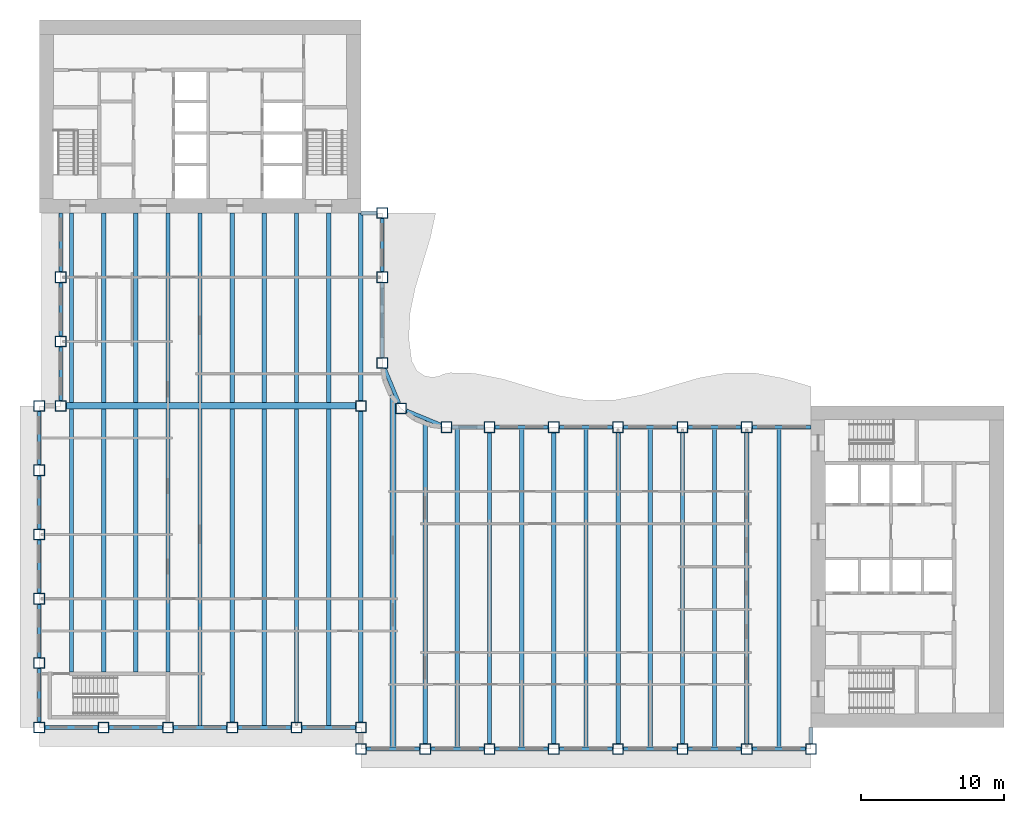
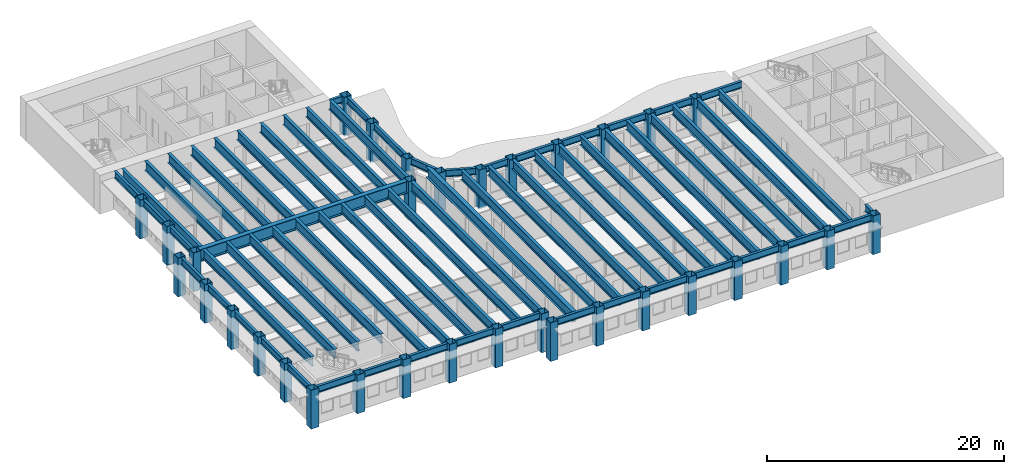
# One storey, part 1 of 17: 66 beams, 33 columns.
"""IFC4 building model written with IfcOpenShell, lengths in metres."""

from ifc_helpers import new_model, si_unit, direction, frame, origin, origin_2d, place, context, subcontext, project, spatial, hollow_rectangle, i_section, extrude, material, material_profile, profile_set, type_object, element, save


model = new_model("IFC4")

# Units and contexts
model_context = context("Model", 3, precision=1e-05, world=origin(), true_north=direction((0.0, 1.0)))
body_context = subcontext(model_context, "Body", "Model", "MODEL_VIEW")
ifc_project = project(units=[si_unit("LENGTHUNIT", "METRE"), si_unit("AREAUNIT", "SQUARE_METRE"), si_unit("VOLUMEUNIT", "CUBIC_METRE"), si_unit("PLANEANGLEUNIT", "RADIAN"), si_unit("MASSUNIT", "GRAM", prefix="KILO")], contexts=[model_context])

# Site, building, storey
site_placement = place(None, origin())
site = spatial("IfcSite", under=ifc_project, at=site_placement, CompositionType="ELEMENT")
building_placement = place(site_placement, origin())
building = spatial("IfcBuilding", under=site, at=building_placement, Name="Sennacour Bend Tower", CompositionType="ELEMENT")
storey_placement = place(building_placement, frame((0.0, 0.0, 219.0)))
storey = spatial("IfcBuildingStorey", under=building, at=storey_placement, Name="L50", CompositionType="ELEMENT", Elevation=219.0)

# Columns
ifc_material_1 = material(Name="Steel ASTM A572 Grade 50", Category="steel")
ifc_material_profile_1 = material_profile(ifc_material_1, hollow_rectangle(XDim=0.75, YDim=0.75, WallThickness=0.035888671875, at=origin_2d()), Name="Steel ASTM A572 Grade 50", Category="steel")
ifc_profile_set_1 = profile_set([ifc_material_profile_1], Name="Steel ASTM A572 Grade 50")
column_type = type_object("IfcColumnType", Name="Box column 750", PredefinedType="COLUMN", material=ifc_profile_set_1)
for number, where, z_axis, x_axis, name in (
    (1, (0.0, 0.0, -0.14990234375), (0.0, 0.0, 1.0), (1.0, 0.0, 0.0), "Perimeter column C4 L50-001"),
    (2, (0.0, 4.5, -0.14990234375), (0.0, 0.0, 1.0), (1.0, 0.0, 0.0), "Perimeter column C4 L50-002"),
    (3, (0.0, 9.0, -0.14990234375), (0.0, 0.0, 1.0), (1.0, 0.0, 0.0), "Perimeter column C4 L50-003"),
    (4, (0.0, 13.5, -0.14990234375), (0.0, 0.0, 1.0), (1.0, 0.0, 0.0), "Perimeter column C4 L50-004"),
    (5, (0.0, 18.0, -0.14990234375), (0.0, 0.0, 1.0), (1.0, 0.0, 0.0), "Perimeter column C4 L50-005"),
    (6, (0.0, 22.5, -0.14990234375), (0.0, 0.0, 1.0), (1.0, 0.0, 0.0), "Perimeter column C4 L50-006"),
    (7, (1.5, 22.5, -0.14990234375), (0.0, 0.0, 1.0), (1.0, 0.0, 0.0), "Perimeter column C4 L50-007"),
    (8, (1.5, 27.0, -0.14990234375), (0.0, 0.0, 1.0), (1.0, 0.0, 0.0), "Perimeter column C4 L50-008"),
    (9, (1.5, 31.5, -0.14990234375), (0.0, 0.0, 1.0), (1.0, 0.0, 0.0), "Perimeter column C4 L50-009"),
    (10, (4.5, 0.0, -0.14990234375), (0.0, 0.0, 1.0), (1.0, 0.0, 0.0), "Perimeter column C4 L50-010"),
    (11, (9.0, 0.0, -0.14990234375), (0.0, 0.0, 1.0), (1.0, 0.0, 0.0), "Perimeter column C4 L50-011"),
    (12, (13.5, 0.0, -0.14990234375), (0.0, 0.0, 1.0), (1.0, 0.0, 0.0), "Perimeter column C4 L50-012"),
    (13, (18.0, 0.0, -0.14990234375), (0.0, 0.0, 1.0), (1.0, 0.0, 0.0), "Perimeter column C4 L50-013"),
    (14, (22.5, -1.5, -0.14990234375), (0.0, 0.0, 1.0), (1.0, 0.0, 0.0), "Perimeter column C4 L50-014"),
    (15, (22.5, 0.0, -0.14990234375), (0.0, 0.0, 1.0), (1.0, 0.0, 0.0), "Perimeter column C4 L50-015"),
    (16, (22.5, 22.5, -0.14990234375), (0.0, 0.0, 1.0), (1.0, 0.0, 0.0), "Knuckle column C4 L50-016"),
    (17, (24.0, 25.5, -0.14990234375), (0.0, 0.0, 1.0), (1.0, 0.0, 0.0), "Perimeter column C4 L50-017"),
    (18, (24.0, 31.5, -0.14990234375), (0.0, 0.0, 1.0), (1.0, 0.0, 0.0), "Perimeter column C4 L50-018"),
    (19, (24.0, 36.0, -0.14990234375), (0.0, 0.0, 1.0), (1.0, 0.0, 0.0), "Perimeter column C4 L50-019"),
    (20, (25.318115234375, 22.318115234375, -0.14990234375), (0.0, 0.0, 1.0), (1.0, 0.0, 0.0), "Perimeter column C4 L50-020"),
    (21, (27.0, -1.5, -0.14990234375), (0.0, 0.0, 1.0), (1.0, 0.0, 0.0), "Perimeter column C4 L50-021"),
    (22, (28.5, 21.0, -0.14990234375), (0.0, 0.0, 1.0), (1.0, 0.0, 0.0), "Perimeter column C4 L50-022"),
    (23, (31.5, -1.5, -0.14990234375), (0.0, 0.0, 1.0), (1.0, 0.0, 0.0), "Perimeter column C4 L50-023"),
    (24, (31.5, 21.0, -0.14990234375), (0.0, 0.0, 1.0), (1.0, 0.0, 0.0), "Perimeter column C4 L50-024"),
    (25, (36.0, -1.5, -0.14990234375), (0.0, 0.0, 1.0), (1.0, 0.0, 0.0), "Perimeter column C4 L50-025"),
    (26, (36.0, 21.0, -0.14990234375), (0.0, 0.0, 1.0), (1.0, 0.0, 0.0), "Perimeter column C4 L50-026"),
    (27, (40.5, -1.5, -0.14990234375), (0.0, 0.0, 1.0), (1.0, 0.0, 0.0), "Perimeter column C4 L50-027"),
    (28, (40.5, 21.0, -0.14990234375), (0.0, 0.0, 1.0), (1.0, 0.0, 0.0), "Perimeter column C4 L50-028"),
    (29, (45.0, -1.5, -0.14990234375), (0.0, 0.0, 1.0), (1.0, 0.0, 0.0), "Perimeter column C4 L50-029"),
    (30, (45.0, 21.0, -0.14990234375), (0.0, 0.0, 1.0), (1.0, 0.0, 0.0), "Perimeter column C4 L50-030"),
    (31, (49.5, -1.5, -0.14990234375), (0.0, 0.0, 1.0), (1.0, 0.0, 0.0), "Perimeter column C4 L50-031"),
    (32, (49.5, 21.0, -0.14990234375), (0.0, 0.0, 1.0), (1.0, 0.0, 0.0), "Perimeter column C4 L50-032"),
    (33, (54.0, -1.5, -0.14990234375), (0.0, 0.0, 1.0), (1.0, 0.0, 0.0), "Perimeter column C4 L50-033"),
):
    element("IfcColumn", number, at=place(storey_placement, frame(where, z_axis=z_axis, x_axis=x_axis)), inside=storey, type_object=column_type, Name=name, PredefinedType="COLUMN", context=body_context, shape_type="SweptSolid", body=[
        extrude(hollow_rectangle(XDim=0.75, YDim=0.75, WallThickness=0.035888671875, at=origin_2d()), origin(), (0.0, 0.0, 1.0), 4.0),
    ])

# Beams
ifc_material_2 = material(Name="Steel ASTM A992 Grade 50", Category="steel")
ifc_material_profile_2 = material_profile(ifc_material_2, i_section(OverallWidth=0.300048828125, OverallDepth=0.97998046875, WebThickness=0.0166015625, FlangeThickness=0.026123046875, FilletRadius=0.02978515625, at=origin_2d()), Name="Steel ASTM A992 Grade 50", Category="steel")
ifc_profile_set_2 = profile_set([ifc_material_profile_2], Name="Steel ASTM A992 Grade 50")
beam_type_1 = type_object("IfcBeamType", Name="Floor beam W1000X249", PredefinedType="BEAM", material=ifc_profile_set_2)
beam_1_placement = place(storey_placement, frame((2.25, 3.875, 3.360107421875), z_axis=(0.0, 1.0, 0.0), x_axis=(-1.0, 0.0, 0.0)))
element("IfcBeam", 34, at=beam_1_placement, inside=storey, type_object=beam_type_1, Name="Floor beam FBM2 L51-001", PredefinedType="BEAM", context=body_context, shape_type="SweptSolid", body=[
    extrude(i_section(OverallWidth=0.300048828125, OverallDepth=0.97998046875, WebThickness=0.0166015625, FlangeThickness=0.026123046875, FilletRadius=0.02978515625, at=origin_2d()), origin(), (0.0, 0.0, 1.0), 18.39990234375),
])
beam_2_placement = place(storey_placement, frame((2.25, 22.72509765625, 3.360107421875), z_axis=(0.0, 1.0, 0.0), x_axis=(-1.0, 0.0, 0.0)))
element("IfcBeam", 35, at=beam_2_placement, inside=storey, type_object=beam_type_1, Name="Floor beam FBM2 L51-002", PredefinedType="BEAM", context=body_context, shape_type="SweptSolid", body=[
    extrude(i_section(OverallWidth=0.300048828125, OverallDepth=0.97998046875, WebThickness=0.0166015625, FlangeThickness=0.026123046875, FilletRadius=0.02978515625, at=origin_2d()), origin(), (0.0, 0.0, 1.0), 13.27490234375),
])
beam_3_placement = place(storey_placement, frame((4.5, 3.875, 3.360107421875), z_axis=(0.0, 1.0, 0.0), x_axis=(-1.0, 0.0, 0.0)))
element("IfcBeam", 36, at=beam_3_placement, inside=storey, type_object=beam_type_1, Name="Floor beam FBM2 L51-003", PredefinedType="BEAM", context=body_context, shape_type="SweptSolid", body=[
    extrude(i_section(OverallWidth=0.300048828125, OverallDepth=0.97998046875, WebThickness=0.0166015625, FlangeThickness=0.026123046875, FilletRadius=0.02978515625, at=origin_2d()), origin(), (0.0, 0.0, 1.0), 18.39990234375),
])
beam_4_placement = place(storey_placement, frame((4.5, 22.72509765625, 3.360107421875), z_axis=(0.0, 1.0, 0.0), x_axis=(-1.0, 0.0, 0.0)))
element("IfcBeam", 37, at=beam_4_placement, inside=storey, type_object=beam_type_1, Name="Floor beam FBM2 L51-004", PredefinedType="BEAM", context=body_context, shape_type="SweptSolid", body=[
    extrude(i_section(OverallWidth=0.300048828125, OverallDepth=0.97998046875, WebThickness=0.0166015625, FlangeThickness=0.026123046875, FilletRadius=0.02978515625, at=origin_2d()), origin(), (0.0, 0.0, 1.0), 13.27490234375),
])
beam_5_placement = place(storey_placement, frame((6.75, 3.875, 3.360107421875), z_axis=(0.0, 1.0, 0.0), x_axis=(-1.0, 0.0, 0.0)))
element("IfcBeam", 38, at=beam_5_placement, inside=storey, type_object=beam_type_1, Name="Floor beam FBM2 L51-005", PredefinedType="BEAM", context=body_context, shape_type="SweptSolid", body=[
    extrude(i_section(OverallWidth=0.300048828125, OverallDepth=0.97998046875, WebThickness=0.0166015625, FlangeThickness=0.026123046875, FilletRadius=0.02978515625, at=origin_2d()), origin(), (0.0, 0.0, 1.0), 18.39990234375),
])
beam_6_placement = place(storey_placement, frame((6.75, 22.72509765625, 3.360107421875), z_axis=(0.0, 1.0, 0.0), x_axis=(-1.0, 0.0, 0.0)))
element("IfcBeam", 39, at=beam_6_placement, inside=storey, type_object=beam_type_1, Name="Floor beam FBM2 L51-006", PredefinedType="BEAM", context=body_context, shape_type="SweptSolid", body=[
    extrude(i_section(OverallWidth=0.300048828125, OverallDepth=0.97998046875, WebThickness=0.0166015625, FlangeThickness=0.026123046875, FilletRadius=0.02978515625, at=origin_2d()), origin(), (0.0, 0.0, 1.0), 13.27490234375),
])
beam_7_placement = place(storey_placement, frame((9.0, 3.875, 3.360107421875), z_axis=(0.0, 1.0, 0.0), x_axis=(-1.0, 0.0, 0.0)))
element("IfcBeam", 40, at=beam_7_placement, inside=storey, type_object=beam_type_1, Name="Floor beam FBM2 L51-007", PredefinedType="BEAM", context=body_context, shape_type="SweptSolid", body=[
    extrude(i_section(OverallWidth=0.300048828125, OverallDepth=0.97998046875, WebThickness=0.0166015625, FlangeThickness=0.026123046875, FilletRadius=0.02978515625, at=origin_2d()), origin(), (0.0, 0.0, 1.0), 18.39990234375),
])
beam_8_placement = place(storey_placement, frame((9.0, 22.72509765625, 3.360107421875), z_axis=(0.0, 1.0, 0.0), x_axis=(-1.0, 0.0, 0.0)))
element("IfcBeam", 41, at=beam_8_placement, inside=storey, type_object=beam_type_1, Name="Floor beam FBM2 L51-008", PredefinedType="BEAM", context=body_context, shape_type="SweptSolid", body=[
    extrude(i_section(OverallWidth=0.300048828125, OverallDepth=0.97998046875, WebThickness=0.0166015625, FlangeThickness=0.026123046875, FilletRadius=0.02978515625, at=origin_2d()), origin(), (0.0, 0.0, 1.0), 13.27490234375),
])
beam_9_placement = place(storey_placement, frame((11.25, 0.12841796875, 3.360107421875), z_axis=(0.0, 1.0, 0.0), x_axis=(-1.0, 0.0, 0.0)))
element("IfcBeam", 42, at=beam_9_placement, inside=storey, type_object=beam_type_1, Name="Floor beam FBM2 L51-009", PredefinedType="BEAM", context=body_context, shape_type="SweptSolid", body=[
    extrude(i_section(OverallWidth=0.300048828125, OverallDepth=0.97998046875, WebThickness=0.0166015625, FlangeThickness=0.026123046875, FilletRadius=0.02978515625, at=origin_2d()), origin(), (0.0, 0.0, 1.0), 22.146484375),
])
beam_10_placement = place(storey_placement, frame((11.25, 22.72509765625, 3.360107421875), z_axis=(0.0, 1.0, 0.0), x_axis=(-1.0, 0.0, 0.0)))
element("IfcBeam", 43, at=beam_10_placement, inside=storey, type_object=beam_type_1, Name="Floor beam FBM2 L51-010", PredefinedType="BEAM", context=body_context, shape_type="SweptSolid", body=[
    extrude(i_section(OverallWidth=0.300048828125, OverallDepth=0.97998046875, WebThickness=0.0166015625, FlangeThickness=0.026123046875, FilletRadius=0.02978515625, at=origin_2d()), origin(), (0.0, 0.0, 1.0), 13.27490234375),
])
beam_11_placement = place(storey_placement, frame((13.5, 0.375, 3.360107421875), z_axis=(0.0, 1.0, 0.0), x_axis=(-1.0, 0.0, 0.0)))
element("IfcBeam", 44, at=beam_11_placement, inside=storey, type_object=beam_type_1, Name="Floor beam FBM2 L51-011", PredefinedType="BEAM", context=body_context, shape_type="SweptSolid", body=[
    extrude(i_section(OverallWidth=0.300048828125, OverallDepth=0.97998046875, WebThickness=0.0166015625, FlangeThickness=0.026123046875, FilletRadius=0.02978515625, at=origin_2d()), origin(), (0.0, 0.0, 1.0), 21.89990234375),
])
beam_12_placement = place(storey_placement, frame((13.5, 22.72509765625, 3.360107421875), z_axis=(0.0, 1.0, 0.0), x_axis=(-1.0, 0.0, 0.0)))
element("IfcBeam", 45, at=beam_12_placement, inside=storey, type_object=beam_type_1, Name="Floor beam FBM2 L51-012", PredefinedType="BEAM", context=body_context, shape_type="SweptSolid", body=[
    extrude(i_section(OverallWidth=0.300048828125, OverallDepth=0.97998046875, WebThickness=0.0166015625, FlangeThickness=0.026123046875, FilletRadius=0.02978515625, at=origin_2d()), origin(), (0.0, 0.0, 1.0), 13.27490234375),
])
beam_13_placement = place(storey_placement, frame((15.75, 0.12841796875, 3.360107421875), z_axis=(0.0, 1.0, 0.0), x_axis=(-1.0, 0.0, 0.0)))
element("IfcBeam", 46, at=beam_13_placement, inside=storey, type_object=beam_type_1, Name="Floor beam FBM2 L51-013", PredefinedType="BEAM", context=body_context, shape_type="SweptSolid", body=[
    extrude(i_section(OverallWidth=0.300048828125, OverallDepth=0.97998046875, WebThickness=0.0166015625, FlangeThickness=0.026123046875, FilletRadius=0.02978515625, at=origin_2d()), origin(), (0.0, 0.0, 1.0), 22.146484375),
])
beam_14_placement = place(storey_placement, frame((15.75, 22.72509765625, 3.360107421875), z_axis=(0.0, 1.0, 0.0), x_axis=(-1.0, 0.0, 0.0)))
element("IfcBeam", 47, at=beam_14_placement, inside=storey, type_object=beam_type_1, Name="Floor beam FBM2 L51-014", PredefinedType="BEAM", context=body_context, shape_type="SweptSolid", body=[
    extrude(i_section(OverallWidth=0.300048828125, OverallDepth=0.97998046875, WebThickness=0.0166015625, FlangeThickness=0.026123046875, FilletRadius=0.02978515625, at=origin_2d()), origin(), (0.0, 0.0, 1.0), 13.27490234375),
])
beam_15_placement = place(storey_placement, frame((18.0, 0.375, 3.360107421875), z_axis=(0.0, 1.0, 0.0), x_axis=(-1.0, 0.0, 0.0)))
element("IfcBeam", 48, at=beam_15_placement, inside=storey, type_object=beam_type_1, Name="Floor beam FBM2 L51-015", PredefinedType="BEAM", context=body_context, shape_type="SweptSolid", body=[
    extrude(i_section(OverallWidth=0.300048828125, OverallDepth=0.97998046875, WebThickness=0.0166015625, FlangeThickness=0.026123046875, FilletRadius=0.02978515625, at=origin_2d()), origin(), (0.0, 0.0, 1.0), 21.89990234375),
])
beam_16_placement = place(storey_placement, frame((18.0, 22.72509765625, 3.360107421875), z_axis=(0.0, 1.0, 0.0), x_axis=(-1.0, 0.0, 0.0)))
element("IfcBeam", 49, at=beam_16_placement, inside=storey, type_object=beam_type_1, Name="Floor beam FBM2 L51-016", PredefinedType="BEAM", context=body_context, shape_type="SweptSolid", body=[
    extrude(i_section(OverallWidth=0.300048828125, OverallDepth=0.97998046875, WebThickness=0.0166015625, FlangeThickness=0.026123046875, FilletRadius=0.02978515625, at=origin_2d()), origin(), (0.0, 0.0, 1.0), 13.27490234375),
])
beam_17_placement = place(storey_placement, frame((20.25, 0.12841796875, 3.360107421875), z_axis=(0.0, 1.0, 0.0), x_axis=(-1.0, 0.0, 0.0)))
element("IfcBeam", 50, at=beam_17_placement, inside=storey, type_object=beam_type_1, Name="Floor beam FBM2 L51-017", PredefinedType="BEAM", context=body_context, shape_type="SweptSolid", body=[
    extrude(i_section(OverallWidth=0.300048828125, OverallDepth=0.97998046875, WebThickness=0.0166015625, FlangeThickness=0.026123046875, FilletRadius=0.02978515625, at=origin_2d()), origin(), (0.0, 0.0, 1.0), 22.146484375),
])
beam_18_placement = place(storey_placement, frame((20.25, 22.72509765625, 3.360107421875), z_axis=(0.0, 1.0, 0.0), x_axis=(-1.0, 0.0, 0.0)))
element("IfcBeam", 51, at=beam_18_placement, inside=storey, type_object=beam_type_1, Name="Floor beam FBM2 L51-018", PredefinedType="BEAM", context=body_context, shape_type="SweptSolid", body=[
    extrude(i_section(OverallWidth=0.300048828125, OverallDepth=0.97998046875, WebThickness=0.0166015625, FlangeThickness=0.026123046875, FilletRadius=0.02978515625, at=origin_2d()), origin(), (0.0, 0.0, 1.0), 13.27490234375),
])
beam_19_placement = place(storey_placement, frame((22.5, 0.375, 3.360107421875), z_axis=(0.0, 1.0, 0.0), x_axis=(-1.0, 0.0, 0.0)))
element("IfcBeam", 52, at=beam_19_placement, inside=storey, type_object=beam_type_1, Name="Floor beam FBM2 L51-019", PredefinedType="BEAM", context=body_context, shape_type="SweptSolid", body=[
    extrude(i_section(OverallWidth=0.300048828125, OverallDepth=0.97998046875, WebThickness=0.0166015625, FlangeThickness=0.026123046875, FilletRadius=0.02978515625, at=origin_2d()), origin(), (0.0, 0.0, 1.0), 21.75),
])
beam_20_placement = place(storey_placement, frame((22.5, 22.875, 3.360107421875), z_axis=(0.0, 1.0, 0.0), x_axis=(-1.0, 0.0, 0.0)))
element("IfcBeam", 53, at=beam_20_placement, inside=storey, type_object=beam_type_1, Name="Floor beam FBM2 L51-020", PredefinedType="BEAM", context=body_context, shape_type="SweptSolid", body=[
    extrude(i_section(OverallWidth=0.300048828125, OverallDepth=0.97998046875, WebThickness=0.0166015625, FlangeThickness=0.026123046875, FilletRadius=0.02978515625, at=origin_2d()), origin(), (0.0, 0.0, 1.0), 13.125),
])
beam_21_placement = place(storey_placement, frame((27.0, -1.125, 3.360107421875), z_axis=(0.0, 1.0, 0.0), x_axis=(-1.0, 0.0, 0.0)))
element("IfcBeam", 54, at=beam_21_placement, inside=storey, type_object=beam_type_1, Name="Floor beam FBM2 L51-022", PredefinedType="BEAM", context=body_context, shape_type="SweptSolid", body=[
    extrude(i_section(OverallWidth=0.300048828125, OverallDepth=0.97998046875, WebThickness=0.0166015625, FlangeThickness=0.026123046875, FilletRadius=0.02978515625, at=origin_2d()), origin(), (0.0, 0.0, 1.0), 22.607177734375),
])
beam_22_placement = place(storey_placement, frame((29.25, -1.37158203125, 3.360107421875), z_axis=(0.0, 1.0, 0.0), x_axis=(-1.0, 0.0, 0.0)))
element("IfcBeam", 55, at=beam_22_placement, inside=storey, type_object=beam_type_1, Name="Floor beam FBM2 L51-023", PredefinedType="BEAM", context=body_context, shape_type="SweptSolid", body=[
    extrude(i_section(OverallWidth=0.300048828125, OverallDepth=0.97998046875, WebThickness=0.0166015625, FlangeThickness=0.026123046875, FilletRadius=0.02978515625, at=origin_2d()), origin(), (0.0, 0.0, 1.0), 22.2431640625),
])
beam_23_placement = place(storey_placement, frame((31.5, -1.125, 3.360107421875), z_axis=(0.0, 1.0, 0.0), x_axis=(-1.0, 0.0, 0.0)))
element("IfcBeam", 56, at=beam_23_placement, inside=storey, type_object=beam_type_1, Name="Floor beam FBM2 L51-024", PredefinedType="BEAM", context=body_context, shape_type="SweptSolid", body=[
    extrude(i_section(OverallWidth=0.300048828125, OverallDepth=0.97998046875, WebThickness=0.0166015625, FlangeThickness=0.026123046875, FilletRadius=0.02978515625, at=origin_2d()), origin(), (0.0, 0.0, 1.0), 21.75),
])
beam_24_placement = place(storey_placement, frame((33.75, -1.37158203125, 3.360107421875), z_axis=(0.0, 1.0, 0.0), x_axis=(-1.0, 0.0, 0.0)))
element("IfcBeam", 57, at=beam_24_placement, inside=storey, type_object=beam_type_1, Name="Floor beam FBM2 L51-025", PredefinedType="BEAM", context=body_context, shape_type="SweptSolid", body=[
    extrude(i_section(OverallWidth=0.300048828125, OverallDepth=0.97998046875, WebThickness=0.0166015625, FlangeThickness=0.026123046875, FilletRadius=0.02978515625, at=origin_2d()), origin(), (0.0, 0.0, 1.0), 22.2431640625),
])
beam_25_placement = place(storey_placement, frame((36.0, -1.125, 3.360107421875), z_axis=(0.0, 1.0, 0.0), x_axis=(-1.0, 0.0, 0.0)))
element("IfcBeam", 58, at=beam_25_placement, inside=storey, type_object=beam_type_1, Name="Floor beam FBM2 L51-026", PredefinedType="BEAM", context=body_context, shape_type="SweptSolid", body=[
    extrude(i_section(OverallWidth=0.300048828125, OverallDepth=0.97998046875, WebThickness=0.0166015625, FlangeThickness=0.026123046875, FilletRadius=0.02978515625, at=origin_2d()), origin(), (0.0, 0.0, 1.0), 21.75),
])
beam_26_placement = place(storey_placement, frame((38.25, -1.37158203125, 3.360107421875), z_axis=(0.0, 1.0, 0.0), x_axis=(-1.0, 0.0, 0.0)))
element("IfcBeam", 59, at=beam_26_placement, inside=storey, type_object=beam_type_1, Name="Floor beam FBM2 L51-027", PredefinedType="BEAM", context=body_context, shape_type="SweptSolid", body=[
    extrude(i_section(OverallWidth=0.300048828125, OverallDepth=0.97998046875, WebThickness=0.0166015625, FlangeThickness=0.026123046875, FilletRadius=0.02978515625, at=origin_2d()), origin(), (0.0, 0.0, 1.0), 22.2431640625),
])
beam_27_placement = place(storey_placement, frame((40.5, -1.125, 3.360107421875), z_axis=(0.0, 1.0, 0.0), x_axis=(-1.0, 0.0, 0.0)))
element("IfcBeam", 60, at=beam_27_placement, inside=storey, type_object=beam_type_1, Name="Floor beam FBM2 L51-028", PredefinedType="BEAM", context=body_context, shape_type="SweptSolid", body=[
    extrude(i_section(OverallWidth=0.300048828125, OverallDepth=0.97998046875, WebThickness=0.0166015625, FlangeThickness=0.026123046875, FilletRadius=0.02978515625, at=origin_2d()), origin(), (0.0, 0.0, 1.0), 21.75),
])
beam_28_placement = place(storey_placement, frame((42.75, -1.37158203125, 3.360107421875), z_axis=(0.0, 1.0, 0.0), x_axis=(-1.0, 0.0, 0.0)))
element("IfcBeam", 61, at=beam_28_placement, inside=storey, type_object=beam_type_1, Name="Floor beam FBM2 L51-029", PredefinedType="BEAM", context=body_context, shape_type="SweptSolid", body=[
    extrude(i_section(OverallWidth=0.300048828125, OverallDepth=0.97998046875, WebThickness=0.0166015625, FlangeThickness=0.026123046875, FilletRadius=0.02978515625, at=origin_2d()), origin(), (0.0, 0.0, 1.0), 22.2431640625),
])
beam_29_placement = place(storey_placement, frame((45.0, -1.125, 3.360107421875), z_axis=(0.0, 1.0, 0.0), x_axis=(-1.0, 0.0, 0.0)))
element("IfcBeam", 62, at=beam_29_placement, inside=storey, type_object=beam_type_1, Name="Floor beam FBM2 L51-030", PredefinedType="BEAM", context=body_context, shape_type="SweptSolid", body=[
    extrude(i_section(OverallWidth=0.300048828125, OverallDepth=0.97998046875, WebThickness=0.0166015625, FlangeThickness=0.026123046875, FilletRadius=0.02978515625, at=origin_2d()), origin(), (0.0, 0.0, 1.0), 21.75),
])
beam_30_placement = place(storey_placement, frame((47.25, -1.37158203125, 3.360107421875), z_axis=(0.0, 1.0, 0.0), x_axis=(-1.0, 0.0, 0.0)))
element("IfcBeam", 63, at=beam_30_placement, inside=storey, type_object=beam_type_1, Name="Floor beam FBM2 L51-031", PredefinedType="BEAM", context=body_context, shape_type="SweptSolid", body=[
    extrude(i_section(OverallWidth=0.300048828125, OverallDepth=0.97998046875, WebThickness=0.0166015625, FlangeThickness=0.026123046875, FilletRadius=0.02978515625, at=origin_2d()), origin(), (0.0, 0.0, 1.0), 22.2431640625),
])
beam_31_placement = place(storey_placement, frame((49.5, -1.125, 3.360107421875), z_axis=(0.0, 1.0, 0.0), x_axis=(-1.0, 0.0, 0.0)))
element("IfcBeam", 64, at=beam_31_placement, inside=storey, type_object=beam_type_1, Name="Floor beam FBM2 L51-032", PredefinedType="BEAM", context=body_context, shape_type="SweptSolid", body=[
    extrude(i_section(OverallWidth=0.300048828125, OverallDepth=0.97998046875, WebThickness=0.0166015625, FlangeThickness=0.026123046875, FilletRadius=0.02978515625, at=origin_2d()), origin(), (0.0, 0.0, 1.0), 21.75),
])
beam_32_placement = place(storey_placement, frame((51.75, -1.37158203125, 3.360107421875), z_axis=(0.0, 1.0, 0.0), x_axis=(-1.0, 0.0, 0.0)))
element("IfcBeam", 65, at=beam_32_placement, inside=storey, type_object=beam_type_1, Name="Floor beam FBM2 L51-033", PredefinedType="BEAM", context=body_context, shape_type="SweptSolid", body=[
    extrude(i_section(OverallWidth=0.300048828125, OverallDepth=0.97998046875, WebThickness=0.0166015625, FlangeThickness=0.026123046875, FilletRadius=0.02978515625, at=origin_2d()), origin(), (0.0, 0.0, 1.0), 22.2431640625),
])
ifc_material_profile_3 = material_profile(ifc_material_1, i_section(OverallWidth=0.449951171875, OverallDepth=1.25, WebThickness=0.028076171875, FlangeThickness=0.050048828125, at=origin_2d()), Name="Steel ASTM A572 Grade 50", Category="steel")
ifc_profile_set_3 = profile_set([ifc_material_profile_3], Name="Steel ASTM A572 Grade 50")
beam_type_2 = type_object("IfcBeamType", Name="Knuckle girder 1250", PredefinedType="USERDEFINED", material=ifc_profile_set_3)
beam_33_placement = place(storey_placement, frame((1.875, 22.5, 3.22509765625), z_axis=(1.0, 0.0, 0.0), x_axis=(0.0, 1.0, 0.0)))
element("IfcBeam", 66, at=beam_33_placement, inside=storey, type_object=beam_type_2, Name="Knuckle girder GK L51-001", ObjectType="KNUCKLE GIRDER", PredefinedType="USERDEFINED", context=body_context, shape_type="SweptSolid", body=[
    extrude(i_section(OverallWidth=0.449951171875, OverallDepth=1.25, WebThickness=0.028076171875, FlangeThickness=0.050048828125, at=origin_2d()), origin(), (0.0, 0.0, 1.0), 20.25),
])
ifc_material_profile_4 = material_profile(ifc_material_2, i_section(OverallWidth=0.40087890625, OverallDepth=1.090087890625, WebThickness=0.01806640625, FlangeThickness=0.031005859375, FilletRadius=0.02001953125, at=origin_2d()), Name="Steel ASTM A992 Grade 50", Category="steel")
ifc_profile_set_4 = profile_set([ifc_material_profile_4], Name="Steel ASTM A992 Grade 50")
beam_type_3 = type_object("IfcBeamType", Name="Notch floor beam W1100X343", PredefinedType="BEAM", material=ifc_profile_set_4)
beam_34_placement = place(storey_placement, frame((24.75, -1.37158203125, 3.304931640625), z_axis=(0.0, 1.0, 0.0), x_axis=(-1.0, 0.0, 0.0)))
element("IfcBeam", 67, at=beam_34_placement, inside=storey, type_object=beam_type_3, Name="Floor beam FBM4 L51-021", PredefinedType="BEAM", context=body_context, shape_type="SweptSolid", body=[
    extrude(i_section(OverallWidth=0.40087890625, OverallDepth=1.090087890625, WebThickness=0.01806640625, FlangeThickness=0.031005859375, FilletRadius=0.02001953125, at=origin_2d()), origin(), (0.0, 0.0, 1.0), 24.72509765625),
])
ifc_material_profile_5 = material_profile(ifc_material_2, i_section(OverallWidth=0.257080078125, OverallDepth=0.693115234375, WebThickness=0.014404296875, FlangeThickness=0.023681640625, FilletRadius=0.015380859375, at=origin_2d()), Name="Steel ASTM A992 Grade 50", Category="steel")
ifc_profile_set_5 = profile_set([ifc_material_profile_5], Name="Steel ASTM A992 Grade 50")
beam_type_4 = type_object("IfcBeamType", Name="Spandrel beam W690X170", PredefinedType="SPANDREL", material=ifc_profile_set_5)
for number, where, z_axis, x_axis, name in (
    (68, (22.125, 0.0, 3.50341796875), (-1.0, 0.0, 0.0), (0.0, -1.0, 0.0), "Spandrel beam SP5 L51-001"),
    (69, (17.625, 0.0, 3.50341796875), (-1.0, 0.0, 0.0), (0.0, -1.0, 0.0), "Spandrel beam SP5 L51-002"),
    (70, (13.125, 0.0, 3.50341796875), (-1.0, 0.0, 0.0), (0.0, -1.0, 0.0), "Spandrel beam SP5 L51-003"),
    (71, (8.625, 0.0, 3.50341796875), (-1.0, 0.0, 0.0), (0.0, -1.0, 0.0), "Spandrel beam SP5 L51-004"),
    (72, (4.125, 0.0, 3.50341796875), (-1.0, 0.0, 0.0), (0.0, -1.0, 0.0), "Spandrel beam SP5 L51-005"),
    (73, (0.0, 0.375, 3.50341796875), (0.0, 1.0, 0.0), (-1.0, 0.0, 0.0), "Spandrel beam SP5 L51-006"),
    (74, (0.0, 4.875, 3.50341796875), (0.0, 1.0, 0.0), (-1.0, 0.0, 0.0), "Spandrel beam SP5 L51-007"),
    (75, (0.0, 9.375, 3.50341796875), (0.0, 1.0, 0.0), (-1.0, 0.0, 0.0), "Spandrel beam SP5 L51-008"),
    (76, (0.0, 13.875, 3.50341796875), (0.0, 1.0, 0.0), (-1.0, 0.0, 0.0), "Spandrel beam SP5 L51-009"),
    (77, (0.0, 18.375, 3.50341796875), (0.0, 1.0, 0.0), (-1.0, 0.0, 0.0), "Spandrel beam SP5 L51-010"),
    (78, (1.5, 22.875, 3.50341796875), (0.0, 1.0, 0.0), (-1.0, 0.0, 0.0), "Spandrel beam SP5 L51-011"),
    (79, (1.5, 27.375, 3.50341796875), (0.0, 1.0, 0.0), (-1.0, 0.0, 0.0), "Spandrel beam SP5 L51-012"),
):
    element("IfcBeam", number, at=place(storey_placement, frame(where, z_axis=z_axis, x_axis=x_axis)), inside=storey, type_object=beam_type_4, Name=name, PredefinedType="SPANDREL", context=body_context, shape_type="SweptSolid", body=[
        extrude(i_section(OverallWidth=0.257080078125, OverallDepth=0.693115234375, WebThickness=0.014404296875, FlangeThickness=0.023681640625, FilletRadius=0.015380859375, at=origin_2d()), origin(), (0.0, 0.0, 1.0), 3.75),
    ])
beam_35_placement = place(storey_placement, frame((1.5, 31.875, 3.50341796875), z_axis=(0.0, 1.0, 0.0), x_axis=(-1.0, 0.0, 0.0)))
element("IfcBeam", 80, at=beam_35_placement, inside=storey, type_object=beam_type_4, Name="Spandrel beam SP5 L51-013", PredefinedType="SPANDREL", context=body_context, shape_type="SweptSolid", body=[
    extrude(i_section(OverallWidth=0.257080078125, OverallDepth=0.693115234375, WebThickness=0.014404296875, FlangeThickness=0.023681640625, FilletRadius=0.015380859375, at=origin_2d()), origin(), (0.0, 0.0, 1.0), 4.125),
])
beam_36_placement = place(storey_placement, frame((22.5, 36.0, 3.50341796875), z_axis=(1.0, 0.0, 0.0), x_axis=(0.0, 1.0, 0.0)))
element("IfcBeam", 81, at=beam_36_placement, inside=storey, type_object=beam_type_4, Name="Spandrel beam SP5 L51-014", PredefinedType="SPANDREL", context=body_context, shape_type="SweptSolid", body=[
    extrude(i_section(OverallWidth=0.257080078125, OverallDepth=0.693115234375, WebThickness=0.014404296875, FlangeThickness=0.023681640625, FilletRadius=0.015380859375, at=origin_2d()), origin(), (0.0, 0.0, 1.0), 1.125),
])
beam_37_placement = place(storey_placement, frame((24.0, 35.625, 3.50341796875), z_axis=(0.0, -1.0, 0.0), x_axis=(1.0, 0.0, 0.0)))
element("IfcBeam", 82, at=beam_37_placement, inside=storey, type_object=beam_type_4, Name="Spandrel beam SP5 L51-015", PredefinedType="SPANDREL", context=body_context, shape_type="SweptSolid", body=[
    extrude(i_section(OverallWidth=0.257080078125, OverallDepth=0.693115234375, WebThickness=0.014404296875, FlangeThickness=0.023681640625, FilletRadius=0.015380859375, at=origin_2d()), origin(), (0.0, 0.0, 1.0), 3.75),
])
beam_38_placement = place(storey_placement, frame((24.0, 31.125, 3.50341796875), z_axis=(0.0, -1.0, 0.0), x_axis=(1.0, 0.0, 0.0)))
element("IfcBeam", 83, at=beam_38_placement, inside=storey, type_object=beam_type_4, Name="Spandrel beam SP5 L51-016", PredefinedType="SPANDREL", context=body_context, shape_type="SweptSolid", body=[
    extrude(i_section(OverallWidth=0.257080078125, OverallDepth=0.693115234375, WebThickness=0.014404296875, FlangeThickness=0.023681640625, FilletRadius=0.015380859375, at=origin_2d()), origin(), (0.0, 0.0, 1.0), 5.25),
])
for number, where, z_axis, x_axis, name in (
    (84, (24.1552734375, 25.125, 3.50341796875), (0.382684913195, -0.92387891913, 0.0), (0.92387891913, 0.382684913195, 0.0), "Spandrel beam SP5 L51-017"),
    (85, (25.693115234375, 22.16259765625, 3.50341796875), (0.92387891913, -0.382684913195, 0.0), (0.382684913195, 0.92387891913, 0.0), "Spandrel beam SP5 L51-018"),
):
    element("IfcBeam", number, at=place(storey_placement, frame(where, z_axis=z_axis, x_axis=x_axis)), inside=storey, type_object=beam_type_4, Name=name, PredefinedType="SPANDREL", context=body_context, shape_type="SweptSolid", body=[
        extrude(i_section(OverallWidth=0.257080078125, OverallDepth=0.693115234375, WebThickness=0.014404296875, FlangeThickness=0.023681640625, FilletRadius=0.015380859375, at=origin_2d()), origin(), (0.0, 0.0, 1.0), 2.63232421875),
    ])
beam_39_placement = place(storey_placement, frame((28.875, 21.0, 3.50341796875), z_axis=(1.0, 0.0, 0.0), x_axis=(0.0, 1.0, 0.0)))
element("IfcBeam", 86, at=beam_39_placement, inside=storey, type_object=beam_type_4, Name="Spandrel beam SP5 L51-019", PredefinedType="SPANDREL", context=body_context, shape_type="SweptSolid", body=[
    extrude(i_section(OverallWidth=0.257080078125, OverallDepth=0.693115234375, WebThickness=0.014404296875, FlangeThickness=0.023681640625, FilletRadius=0.015380859375, at=origin_2d()), origin(), (0.0, 0.0, 1.0), 2.25),
])
for number, where, z_axis, x_axis, name in (
    (87, (31.875, 21.0, 3.50341796875), (1.0, 0.0, 0.0), (0.0, 1.0, 0.0), "Spandrel beam SP5 L51-020"),
    (88, (36.375, 21.0, 3.50341796875), (1.0, 0.0, 0.0), (0.0, 1.0, 0.0), "Spandrel beam SP5 L51-021"),
    (89, (40.875, 21.0, 3.50341796875), (1.0, 0.0, 0.0), (0.0, 1.0, 0.0), "Spandrel beam SP5 L51-022"),
    (90, (45.375, 21.0, 3.50341796875), (1.0, 0.0, 0.0), (0.0, 1.0, 0.0), "Spandrel beam SP5 L51-023"),
):
    element("IfcBeam", number, at=place(storey_placement, frame(where, z_axis=z_axis, x_axis=x_axis)), inside=storey, type_object=beam_type_4, Name=name, PredefinedType="SPANDREL", context=body_context, shape_type="SweptSolid", body=[
        extrude(i_section(OverallWidth=0.257080078125, OverallDepth=0.693115234375, WebThickness=0.014404296875, FlangeThickness=0.023681640625, FilletRadius=0.015380859375, at=origin_2d()), origin(), (0.0, 0.0, 1.0), 3.75),
    ])
beam_40_placement = place(storey_placement, frame((49.875, 21.0, 3.50341796875), z_axis=(1.0, 0.0, 0.0), x_axis=(0.0, 1.0, 0.0)))
element("IfcBeam", 91, at=beam_40_placement, inside=storey, type_object=beam_type_4, Name="Spandrel beam SP5 L51-024", PredefinedType="SPANDREL", context=body_context, shape_type="SweptSolid", body=[
    extrude(i_section(OverallWidth=0.257080078125, OverallDepth=0.693115234375, WebThickness=0.014404296875, FlangeThickness=0.023681640625, FilletRadius=0.015380859375, at=origin_2d()), origin(), (0.0, 0.0, 1.0), 4.125),
])
beam_41_placement = place(storey_placement, frame((54.0, 0.0, 3.50341796875), z_axis=(0.0, -1.0, 0.0), x_axis=(1.0, 0.0, 0.0)))
element("IfcBeam", 92, at=beam_41_placement, inside=storey, type_object=beam_type_4, Name="Spandrel beam SP5 L51-025", PredefinedType="SPANDREL", context=body_context, shape_type="SweptSolid", body=[
    extrude(i_section(OverallWidth=0.257080078125, OverallDepth=0.693115234375, WebThickness=0.014404296875, FlangeThickness=0.023681640625, FilletRadius=0.015380859375, at=origin_2d()), origin(), (0.0, 0.0, 1.0), 1.125),
])
for number, where, z_axis, x_axis, name in (
    (93, (53.625, -1.5, 3.50341796875), (-1.0, 0.0, 0.0), (0.0, -1.0, 0.0), "Spandrel beam SP5 L51-026"),
    (94, (49.125, -1.5, 3.50341796875), (-1.0, 0.0, 0.0), (0.0, -1.0, 0.0), "Spandrel beam SP5 L51-027"),
    (95, (44.625, -1.5, 3.50341796875), (-1.0, 0.0, 0.0), (0.0, -1.0, 0.0), "Spandrel beam SP5 L51-028"),
    (96, (40.125, -1.5, 3.50341796875), (-1.0, 0.0, 0.0), (0.0, -1.0, 0.0), "Spandrel beam SP5 L51-029"),
    (97, (35.625, -1.5, 3.50341796875), (-1.0, 0.0, 0.0), (0.0, -1.0, 0.0), "Spandrel beam SP5 L51-030"),
    (98, (31.125, -1.5, 3.50341796875), (-1.0, 0.0, 0.0), (0.0, -1.0, 0.0), "Spandrel beam SP5 L51-031"),
    (99, (26.625, -1.5, 3.50341796875), (-1.0, 0.0, 0.0), (0.0, -1.0, 0.0), "Spandrel beam SP5 L51-032"),
):
    element("IfcBeam", number, at=place(storey_placement, frame(where, z_axis=z_axis, x_axis=x_axis)), inside=storey, type_object=beam_type_4, Name=name, PredefinedType="SPANDREL", context=body_context, shape_type="SweptSolid", body=[
        extrude(i_section(OverallWidth=0.257080078125, OverallDepth=0.693115234375, WebThickness=0.014404296875, FlangeThickness=0.023681640625, FilletRadius=0.015380859375, at=origin_2d()), origin(), (0.0, 0.0, 1.0), 3.75),
    ])

save(model, "model.ifc")
